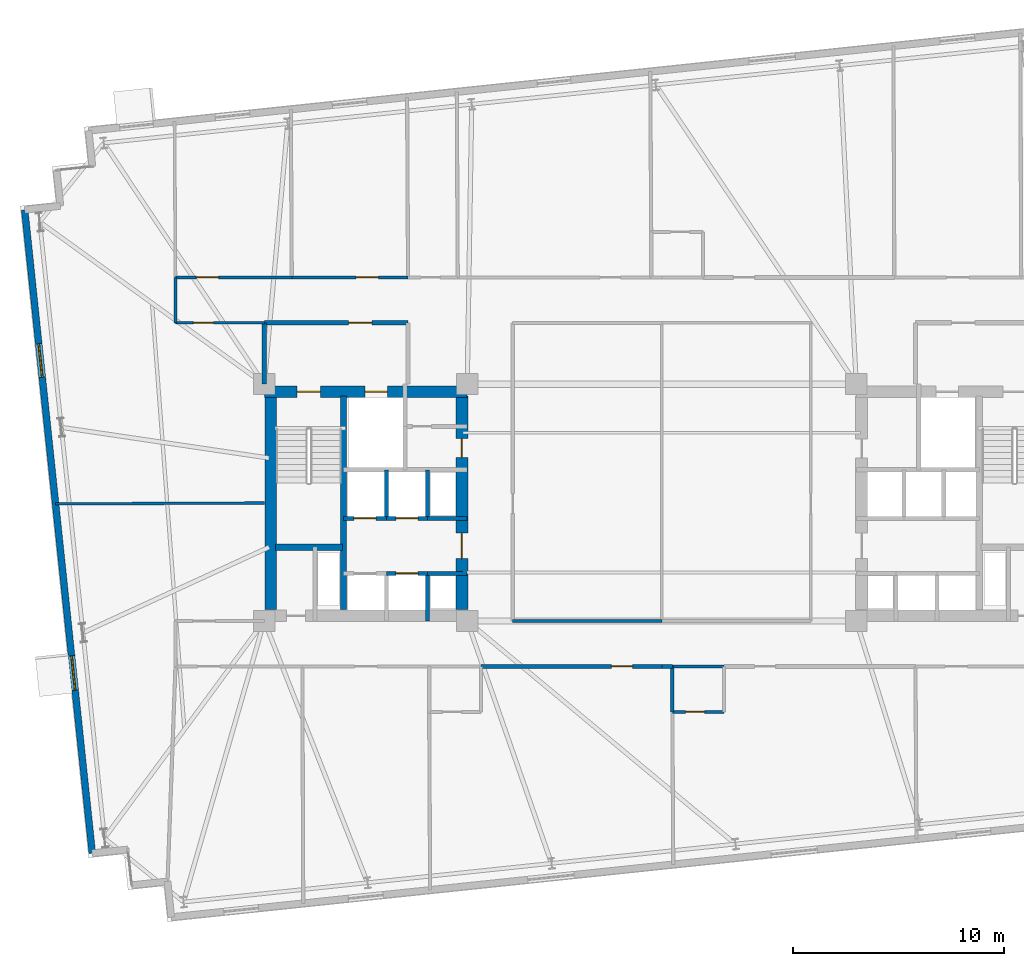
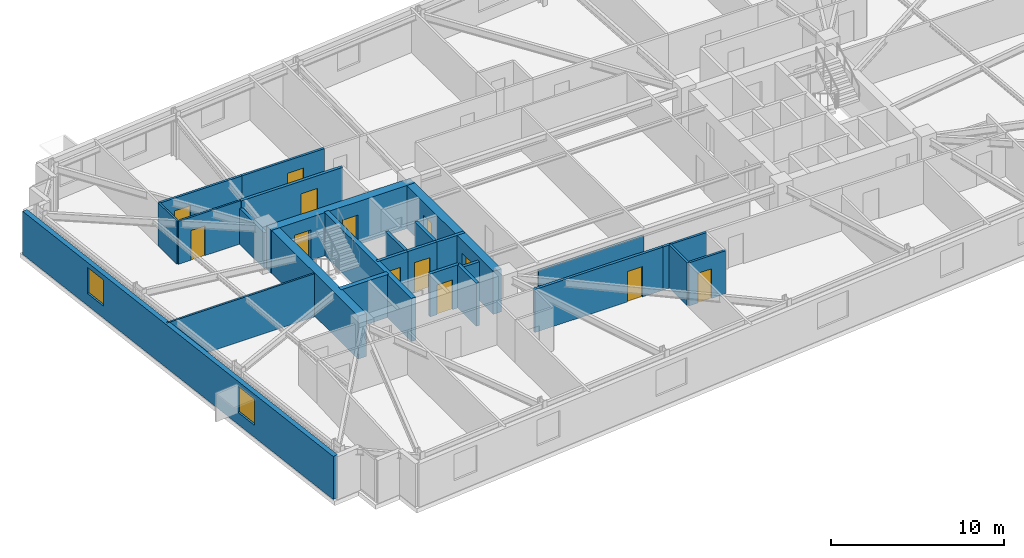
# One storey, part 12 of 17: 27 walls, 13 doors, 2 windows, 15 openings.
"""IFC4 building model written with IfcOpenShell, lengths in metres."""

from ifc_helpers import new_model, si_unit, direction, frame, frame_2d, origin, place, context, subcontext, project, spatial, rectangle, extrude, material, layer, layer_set, type_object, element, fill, save


model = new_model("IFC4")

# Units and contexts
model_context = context("Model", 3, precision=1e-05, world=origin(), true_north=direction((0.0, 1.0)))
body_context = subcontext(model_context, "Body", "Model", "MODEL_VIEW")
ifc_project = project(units=[si_unit("LENGTHUNIT", "METRE"), si_unit("AREAUNIT", "SQUARE_METRE"), si_unit("VOLUMEUNIT", "CUBIC_METRE"), si_unit("PLANEANGLEUNIT", "RADIAN"), si_unit("MASSUNIT", "GRAM", prefix="KILO")], contexts=[model_context])

# Site, building, storey
site_placement = place(None, origin())
site = spatial("IfcSite", under=ifc_project, at=site_placement, CompositionType="ELEMENT")
building_placement = place(site_placement, origin())
building = spatial("IfcBuilding", under=site, at=building_placement, Name="Qobustan Lattice House", CompositionType="ELEMENT")
storey_placement = place(building_placement, frame((0.0, 0.0, 105.800048828125)))
storey = spatial("IfcBuildingStorey", under=building, at=storey_placement, Name="L29", CompositionType="ELEMENT", Elevation=105.800048828125)

# Wall, openings, doors
ifc_material_1 = material(Name="Concrete C60/75", Category="concrete")
ifc_layer_1 = layer(ifc_material_1, 0.56005859375)
ifc_layer_set_1 = layer_set([ifc_layer_1], Name="Concrete C60/75")
wall_type_1 = type_object("IfcWallType", Name="WAL-CORE-600", PredefinedType="SHEAR", material=ifc_layer_set_1)
wall_1_placement = place(storey_placement, frame((-18.800048828125, 5.239990234375, 0.0), z_axis=(0.0, 0.0, 1.0), x_axis=(1.0, 0.0, 0.0)))
wall_1 = element("IfcWall", 1, at=wall_1_placement, inside=storey, type_object=wall_type_1, Name="L29 split-core shear wall CW-N", PredefinedType="SHEAR", context=body_context, shape_type="SweptSolid", body=[
    extrude(rectangle(XDim=9.60009765625, YDim=0.56005859375, at=frame_2d((4.800048828125, 0.0))), origin(), (0.0, 0.0, 1.0), 3.044921875),
])
opening_1_placement = place(wall_1_placement, frame((1.550048828125, 0.0, 0.0)))
opening_1 = element("IfcOpeningElement", 2, at=opening_1_placement, cuts=wall_1, Name="Opening SD-01", PredefinedType="OPENING", context=body_context, shape_type="SweptSolid", body=[
    extrude(rectangle(XDim=1.10009765625, YDim=2.14990234375, at=frame_2d((0.550048828125, 1.074951171875))), frame((0.0, 0.2900390625, 0.0), z_axis=(0.0, -1.0, 0.0), x_axis=(1.0, 0.0, 0.0)), (0.0, 0.0, 1.0), 0.580078125),
])
opening_2_placement = place(wall_1_placement, frame((4.77490234375, 0.0, 0.0)))
opening_2 = element("IfcOpeningElement", 3, at=opening_2_placement, cuts=wall_1, Name="Opening LD-01", PredefinedType="OPENING", context=body_context, shape_type="SweptSolid", body=[
    extrude(rectangle(XDim=1.050048828125, YDim=2.10009765625, at=frame_2d((0.52490234375, 1.050048828125))), frame((0.0, 0.2900390625, 0.0), z_axis=(0.0, -1.0, 0.0), x_axis=(1.0, 0.0, 0.0)), (0.0, 0.0, 1.0), 0.580078125),
])
ifc_material_2 = material(Name="Persian walnut timber and steel frame door", Category="steel")
door_type_1 = type_object("IfcDoorType", Name="DOR-LIFT-LD-1050x2100", OperationType="NOTDEFINED", PredefinedType="DOOR", material=ifc_material_2)
door_1_placement = place(opening_2_placement, origin())
door_1 = element("IfcDoor", 4, at=door_1_placement, inside=storey, type_object=door_type_1, Name="L29 firefighting lift FF-W landing door", OperationType="DOUBLE_DOOR_SLIDING", OverallHeight=2.10009765625, OverallWidth=1.050048828125, PredefinedType="DOOR", context=body_context, shape_type="SweptSolid", body=[
    extrude(rectangle(XDim=1.050048828125, YDim=2.10009765625, at=frame_2d((0.52490234375, 1.050048828125))), frame((0.0, 0.02490234375, 0.0), z_axis=(0.0, -1.0, 0.0), x_axis=(1.0, 0.0, 0.0)), (0.0, 0.0, 1.0), 0.050048828125),
])
fill(opening_2, door_1)
ifc_material_3 = material(Name="Persian walnut timber and steel frame door", Category="steel")
door_type_2 = type_object("IfcDoorType", Name="DOR-STAIR-FD-1100x2150", OperationType="NOTDEFINED", PredefinedType="DOOR", material=ifc_material_3)
door_2_placement = place(opening_1_placement, origin())
door_2 = element("IfcDoor", 5, at=door_2_placement, inside=storey, type_object=door_type_2, Name="L29 exit stair ST-W1 fire door", OperationType="SINGLE_SWING_LEFT", OverallHeight=2.14990234375, OverallWidth=1.10009765625, PredefinedType="DOOR", context=body_context, shape_type="SweptSolid", body=[
    extrude(rectangle(XDim=1.10009765625, YDim=2.14990234375, at=frame_2d((0.550048828125, 1.074951171875))), frame((0.0, 0.02490234375, 0.0), z_axis=(0.0, -1.0, 0.0), x_axis=(1.0, 0.0, 0.0)), (0.0, 0.0, 1.0), 0.050048828125),
])
fill(opening_1, door_2)

# Wall
wall_2_placement = place(storey_placement, frame((-18.489990234375, -5.050048828125, 0.0), z_axis=(0.0, 0.0, 1.0), x_axis=(0.0, 1.0, 0.0)))
element("IfcWall", 6, at=wall_2_placement, inside=storey, type_object=wall_type_1, Name="L29 split-core shear wall CW-W", PredefinedType="SHEAR", context=body_context, shape_type="SweptSolid", body=[
    extrude(rectangle(XDim=10.10009765625, YDim=0.56005859375, at=frame_2d((5.050048828125, 0.0))), origin(), (0.0, 0.0, 1.0), 3.044921875),
])

# Wall, openings, doors
wall_3_placement = place(storey_placement, frame((-9.449951171875, -5.050048828125, 0.0), z_axis=(0.0, 0.0, 1.0), x_axis=(0.0, 1.0, 0.0)))
wall_3 = element("IfcWall", 7, at=wall_3_placement, inside=storey, type_object=wall_type_1, Name="L29 split-core shear wall CW-E", PredefinedType="SHEAR", context=body_context, shape_type="SweptSolid", body=[
    extrude(rectangle(XDim=10.10009765625, YDim=0.56005859375, at=frame_2d((5.050048828125, 0.0))), origin(), (0.0, 0.0, 1.0), 3.044921875),
])
opening_3_placement = place(wall_3_placement, frame((7.175048828125, 0.0, 0.0)))
opening_3 = element("IfcOpeningElement", 8, at=opening_3_placement, cuts=wall_3, Name="Opening RD-01", PredefinedType="OPENING", context=body_context, shape_type="SweptSolid", body=[
    extrude(rectangle(XDim=0.89990234375, YDim=2.10009765625, at=frame_2d((0.449951171875, 1.050048828125))), frame((0.0, 0.2900390625, 0.0), z_axis=(0.0, -1.0, 0.0), x_axis=(1.0, 0.0, 0.0)), (0.0, 0.0, 1.0), 0.580078125),
])
opening_4_placement = place(wall_3_placement, frame((2.39990234375, 0.0, 0.0)))
opening_4 = element("IfcOpeningElement", 9, at=opening_4_placement, cuts=wall_3, Name="Opening FD-01", PredefinedType="OPENING", context=body_context, shape_type="SweptSolid", body=[
    extrude(rectangle(XDim=1.199951171875, YDim=2.14990234375, at=frame_2d((0.60009765625, 1.074951171875))), frame((0.0, 0.2900390625, 0.0), z_axis=(0.0, -1.0, 0.0), x_axis=(1.0, 0.0, 0.0)), (0.0, 0.0, 1.0), 0.580078125),
])
ifc_material_4 = material(Name="Persian walnut timber and steel frame door", Category="steel")
door_type_3 = type_object("IfcDoorType", Name="DOR-LOBBY-FD-1200x2150", OperationType="NOTDEFINED", PredefinedType="DOOR", material=ifc_material_4)
door_3_placement = place(opening_4_placement, origin())
door_3 = element("IfcDoor", 10, at=door_3_placement, inside=storey, type_object=door_type_3, Name="L29 West passenger lift lobby fire door", OperationType="SINGLE_SWING_RIGHT", OverallHeight=2.14990234375, OverallWidth=1.199951171875, PredefinedType="DOOR", context=body_context, shape_type="SweptSolid", body=[
    extrude(rectangle(XDim=1.199951171875, YDim=2.14990234375, at=frame_2d((0.60009765625, 1.074951171875))), frame((0.0, 0.02490234375, 0.0), z_axis=(0.0, -1.0, 0.0), x_axis=(1.0, 0.0, 0.0)), (0.0, 0.0, 1.0), 0.050048828125),
])
fill(opening_4, door_3)
ifc_material_5 = material(Name="Persian walnut timber and steel frame door", Category="steel")
door_type_4 = type_object("IfcDoorType", Name="DOR-RISER-FD-900x2100", OperationType="NOTDEFINED", PredefinedType="DOOR", material=ifc_material_5)
door_4_placement = place(opening_3_placement, origin())
door_4 = element("IfcDoor", 11, at=door_4_placement, inside=storey, type_object=door_type_4, Name="L29 Core utility lobby fire door", OperationType="SINGLE_SWING_LEFT", OverallHeight=2.10009765625, OverallWidth=0.89990234375, PredefinedType="DOOR", context=body_context, shape_type="SweptSolid", body=[
    extrude(rectangle(XDim=0.89990234375, YDim=2.10009765625, at=frame_2d((0.449951171875, 1.050048828125))), frame((0.0, 0.02490234375, 0.0), z_axis=(0.0, -1.0, 0.0), x_axis=(1.0, 0.0, 0.0)), (0.0, 0.0, 1.0), 0.050048828125),
])
fill(opening_3, door_4)

# Walls
ifc_material_6 = material(Name="Concrete C50/60", Category="concrete")
ifc_layer_2 = layer(ifc_material_6, 0.280029296875)
ifc_layer_set_2 = layer_set([ifc_layer_2], Name="Concrete C50/60")
wall_type_2 = type_object("IfcWallType", Name="WAL-CORE-SPINE-280", PredefinedType="SHEAR", material=ifc_layer_set_2)
wall_4_placement = place(storey_placement, frame((-15.050048828125, -5.050048828125, 0.0), z_axis=(0.0, 0.0, 1.0), x_axis=(0.0, 1.0, 0.0)))
element("IfcWall", 12, at=wall_4_placement, inside=storey, type_object=wall_type_2, Name="L29 split-core shear wall CW-M", PredefinedType="SHEAR", context=body_context, shape_type="SweptSolid", body=[
    extrude(rectangle(XDim=10.10009765625, YDim=0.300048828125, at=frame_2d((5.050048828125, 0.0))), origin(), (0.0, 0.0, 1.0), 3.044921875),
])
wall_5_placement = place(storey_placement, frame((-18.280029296875, -2.110107421875, 0.0), z_axis=(0.0, 0.0, 1.0), x_axis=(1.0, 0.0, 0.0)))
element("IfcWall", 13, at=wall_5_placement, inside=storey, type_object=wall_type_2, Name="L29 split-core shear wall CW-ST", PredefinedType="SHEAR", context=body_context, shape_type="SweptSolid", body=[
    extrude(rectangle(XDim=3.179931640625, YDim=0.300048828125, at=frame_2d((1.58984375, 0.0))), origin(), (0.0, 0.0, 1.0), 3.044921875),
])

# Wall, openings, windows
ifc_material_7 = material(Name="Precast concrete C40/50", Category="concrete")
ifc_layer_3 = layer(ifc_material_7, 0.320068359375)
ifc_layer_set_3 = layer_set([ifc_layer_3], Name="Precast concrete C40/50")
wall_type_3 = type_object("IfcWallType", Name="WAL-EXT-STONE-320", PredefinedType="SOLIDWALL", material=ifc_layer_set_3)
wall_6_placement = place(storey_placement, frame((-26.934814453125, -16.58349609375, 0.0), z_axis=(0.0, 0.0, 1.0), x_axis=(-0.104524887486, 0.994522271192, 0.0)))
wall_6 = element("IfcWall", 14, at=wall_6_placement, inside=storey, type_object=wall_type_3, Name="L29 exterior limestone-clad wall 5", PredefinedType="SOLIDWALL", context=body_context, shape_type="SweptSolid", body=[
    extrude(rectangle(XDim=30.600341796875, YDim=0.320068359375, at=frame_2d((15.30029296875, 0.0))), origin(), (0.0, 0.0, 1.0), 3.044921875),
])
opening_5_placement = place(wall_6_placement, frame((7.74609375, 0.0, 0.85009765625)))
opening_5 = element("IfcOpeningElement", 15, at=opening_5_placement, cuts=wall_6, Name="Opening WN-09", PredefinedType="OPENING", context=body_context, shape_type="SweptSolid", body=[
    extrude(rectangle(XDim=1.64990234375, YDim=1.85009765625, at=frame_2d((0.824951171875, 0.925048828125))), frame((0.0, 0.169921875, 0.0), z_axis=(0.0, -1.0, 0.0), x_axis=(1.0, 0.0, 0.0)), (0.0, 0.0, 1.0), 0.340087890625),
])
opening_6_placement = place(wall_6_placement, frame((22.630615234375, 0.0, 0.85009765625)))
opening_6 = element("IfcOpeningElement", 16, at=opening_6_placement, cuts=wall_6, Name="Opening WN-13", PredefinedType="OPENING", context=body_context, shape_type="SweptSolid", body=[
    extrude(rectangle(XDim=1.60009765625, YDim=1.85009765625, at=frame_2d((0.800048828125, 0.925048828125))), frame((0.0, 0.169921875, 0.0), z_axis=(0.0, -1.0, 0.0), x_axis=(1.0, 0.0, 0.0)), (0.0, 0.0, 1.0), 0.340087890625),
])
ifc_material_8 = material(Name="Double-glazed low-E aluminium window", Category="aluminium")
window_type_1 = type_object("IfcWindowType", Name="WIN-BED-1600x1850", PartitioningType="SINGLE_PANEL", PredefinedType="WINDOW", material=ifc_material_8)
window_1_placement = place(opening_6_placement, origin())
window_1 = element("IfcWindow", 17, at=window_1_placement, inside=storey, type_object=window_type_1, Name="L29 Music and podcast studio window", OverallHeight=1.85009765625, OverallWidth=1.60009765625, PartitioningType="SINGLE_PANEL", PredefinedType="WINDOW", context=body_context, shape_type="SweptSolid", body=[
    extrude(rectangle(XDim=1.60009765625, YDim=1.85009765625, at=frame_2d((0.800048828125, 0.925048828125))), frame((0.0, 0.030029296875, 0.0), z_axis=(0.0, -1.0, 0.0), x_axis=(1.0, 0.0, 0.0)), (0.0, 0.0, 1.0), 0.06005859375),
])
fill(opening_6, window_1)
ifc_material_9 = material(Name="Double-glazed low-E aluminium window", Category="aluminium")
window_type_2 = type_object("IfcWindowType", Name="WIN-STU-1650x1850", PartitioningType="SINGLE_PANEL", PredefinedType="WINDOW", material=ifc_material_9)
window_2_placement = place(opening_5_placement, origin())
window_2 = element("IfcWindow", 18, at=window_2_placement, inside=storey, type_object=window_type_2, Name="L29 Academic seminar room window", OverallHeight=1.85009765625, OverallWidth=1.64990234375, PartitioningType="SINGLE_PANEL", PredefinedType="WINDOW", context=body_context, shape_type="SweptSolid", body=[
    extrude(rectangle(XDim=1.64990234375, YDim=1.85009765625, at=frame_2d((0.824951171875, 0.925048828125))), frame((0.0, 0.030029296875, 0.0), z_axis=(0.0, -1.0, 0.0), x_axis=(1.0, 0.0, 0.0)), (0.0, 0.0, 1.0), 0.06005859375),
])
fill(opening_5, window_2)

# Wall, opening, door
ifc_material_10 = material(Name="Gypsum fireboard acoustic partition", Category="gypsum")
ifc_layer_4 = layer(ifc_material_10, 0.179931640625)
ifc_layer_set_4 = layer_set([ifc_layer_4], Name="Gypsum fireboard acoustic partition")
wall_type_4 = type_object("IfcWallType", Name="WAL-FIRE-180", PredefinedType="PARTITIONING", material=ifc_layer_set_4)
wall_7_placement = place(storey_placement, frame((0.0, -7.75, 0.0), z_axis=(0.0, 0.0, 1.0), x_axis=(-1.0, 0.0, 0.0)))
wall_7 = element("IfcWall", 19, at=wall_7_placement, inside=storey, type_object=wall_type_4, Name="L29 interior partition 56", PredefinedType="PARTITIONING", context=body_context, shape_type="SweptSolid", body=[
    extrude(rectangle(XDim=8.550048828125, YDim=0.179931640625, at=frame_2d((4.27490234375, 0.0))), origin(), (0.0, 0.0, 1.0), 3.044921875),
])
opening_7_placement = place(wall_7_placement, frame((1.37890625, 0.0, 0.0)))
opening_7 = element("IfcOpeningElement", 20, at=opening_7_placement, cuts=wall_7, Name="Opening FD-02", PredefinedType="OPENING", context=body_context, shape_type="SweptSolid", body=[
    extrude(rectangle(XDim=1.0, YDim=2.14990234375, at=frame_2d((0.5, 1.074951171875))), frame((0.0, 0.099853515625, 0.0), z_axis=(0.0, -1.0, 0.0), x_axis=(1.0, 0.0, 0.0)), (0.0, 0.0, 1.0), 0.199951171875),
])
ifc_material_11 = material(Name="Persian walnut timber and steel frame door", Category="steel")
door_type_5 = type_object("IfcDoorType", Name="DOR-UNIT-FD-1000x2150", OperationType="NOTDEFINED", PredefinedType="DOOR", material=ifc_material_11)
door_5_placement = place(opening_7_placement, origin())
door_5 = element("IfcDoor", 21, at=door_5_placement, inside=storey, type_object=door_type_5, Name="L29 South-west floor corridor to Kitchenette and studio apartment L29-S2 door", OperationType="SINGLE_SWING_RIGHT", OverallHeight=2.14990234375, OverallWidth=1.0, PredefinedType="DOOR", context=body_context, shape_type="SweptSolid", body=[
    extrude(rectangle(XDim=1.0, YDim=2.14990234375, at=frame_2d((0.5, 1.074951171875))), frame((0.0, 0.02490234375, 0.0), z_axis=(0.0, -1.0, 0.0), x_axis=(1.0, 0.0, 0.0)), (0.0, 0.0, 1.0), 0.050048828125),
])
fill(opening_7, door_5)

# Wall
wall_8_placement = place(storey_placement, frame((0.5, -7.75, 0.0), z_axis=(0.0, 0.0, 1.0), x_axis=(-1.0, 0.0, 0.0)))
element("IfcWall", 22, at=wall_8_placement, inside=storey, type_object=wall_type_4, Name="L29 interior partition 61", PredefinedType="PARTITIONING", context=body_context, shape_type="SweptSolid", body=[
    extrude(rectangle(XDim=0.5, YDim=0.179931640625, at=frame_2d((0.25, 0.0))), origin(), (0.0, 0.0, 1.0), 3.044921875),
])

# Wall, opening, door
ifc_material_12 = material(Name="Lightweight acoustic stud partition", Category="gypsum")
ifc_layer_5 = layer(ifc_material_12, 0.125)
ifc_layer_set_5 = layer_set([ifc_layer_5], Name="Lightweight acoustic stud partition")
wall_type_5 = type_object("IfcWallType", Name="WAL-PART-125", PredefinedType="PARTITIONING", material=ifc_layer_set_5)
wall_9_placement = place(storey_placement, frame((-18.800048828125, 8.5, 0.0), z_axis=(0.0, 0.0, 1.0), x_axis=(-1.0, 0.0, 0.0)))
wall_9 = element("IfcWall", 23, at=wall_9_placement, inside=storey, type_object=wall_type_5, Name="L29 interior partition 37", PredefinedType="PARTITIONING", context=body_context, shape_type="SweptSolid", body=[
    extrude(rectangle(XDim=4.199951171875, YDim=0.125, at=frame_2d((2.10009765625, 0.0))), origin(), (0.0, 0.0, 1.0), 3.044921875),
])
opening_8_placement = place(wall_9_placement, frame((2.40869140625, 0.0, 0.0)))
opening_8 = element("IfcOpeningElement", 24, at=opening_8_placement, cuts=wall_9, Name="Opening ID-01", PredefinedType="OPENING", context=body_context, shape_type="SweptSolid", body=[
    extrude(rectangle(XDim=0.949951171875, YDim=2.10009765625, at=frame_2d((0.47509765625, 1.050048828125))), frame((0.0, 0.072509765625, 0.0), z_axis=(0.0, -1.0, 0.0), x_axis=(1.0, 0.0, 0.0)), (0.0, 0.0, 1.0), 0.14501953125),
])
ifc_material_13 = material(Name="Persian walnut timber and steel frame door", Category="steel")
door_type_6 = type_object("IfcDoorType", Name="DOR-ROOM-950x2100", OperationType="NOTDEFINED", PredefinedType="DOOR", material=ifc_material_13)
door_6_placement = place(opening_8_placement, origin())
door_6 = element("IfcDoor", 25, at=door_6_placement, inside=storey, type_object=door_type_6, Name="L29 North-west floor corridor to Music and podcast studio door", OperationType="SINGLE_SWING_RIGHT", OverallHeight=2.10009765625, OverallWidth=0.949951171875, PredefinedType="DOOR", context=body_context, shape_type="SweptSolid", body=[
    extrude(rectangle(XDim=0.949951171875, YDim=2.10009765625, at=frame_2d((0.47509765625, 1.050048828125))), frame((0.0, 0.02490234375, 0.0), z_axis=(0.0, -1.0, 0.0), x_axis=(1.0, 0.0, 0.0)), (0.0, 0.0, 1.0), 0.050048828125),
])
fill(opening_8, door_6)

# Walls
wall_10_placement = place(storey_placement, frame((-23.0, 8.5, 0.0), z_axis=(0.0, 0.0, 1.0), x_axis=(0.0, 1.0, 0.0)))
element("IfcWall", 26, at=wall_10_placement, inside=storey, type_object=wall_type_5, Name="L29 interior partition 38", PredefinedType="PARTITIONING", context=body_context, shape_type="SweptSolid", body=[
    extrude(rectangle(XDim=2.14990234375, YDim=0.125, at=frame_2d((1.074951171875, 0.0))), origin(), (0.0, 0.0, 1.0), 3.044921875),
])
wall_11_placement = place(storey_placement, frame((-28.6708984375, -0.063720703125, 0.0), z_axis=(0.0, 0.0, 1.0), x_axis=(0.999990089865, 0.004451985263, 0.0)))
element("IfcWall", 27, at=wall_11_placement, inside=storey, type_object=wall_type_5, Name="L29 interior partition 69", PredefinedType="PARTITIONING", context=body_context, shape_type="SweptSolid", body=[
    extrude(rectangle(XDim=9.870849609375, YDim=0.125, at=frame_2d((4.935546875, 0.0))), origin(), (0.0, 0.0, 1.0), 3.044921875),
])

# Wall, opening, door
ifc_material_14 = material(Name="Acoustic twin-stud gypsum partition", Category="gypsum")
ifc_layer_6 = layer(ifc_material_14, 0.14990234375)
ifc_layer_set_6 = layer_set([ifc_layer_6], Name="Acoustic twin-stud gypsum partition")
wall_type_6 = type_object("IfcWallType", Name="WAL-PART-150", PredefinedType="PARTITIONING", material=ifc_layer_set_6)
wall_12_placement = place(storey_placement, frame((-23.0, 10.64990234375, 0.0), z_axis=(0.0, 0.0, 1.0), x_axis=(1.0, 0.0, 0.0)))
wall_12 = element("IfcWall", 28, at=wall_12_placement, inside=storey, type_object=wall_type_6, Name="L29 interior partition 39", PredefinedType="PARTITIONING", context=body_context, shape_type="SweptSolid", body=[
    extrude(rectangle(XDim=5.5, YDim=0.14990234375, at=frame_2d((2.75, 0.0))), origin(), (0.0, 0.0, 1.0), 3.044921875),
])
opening_9_placement = place(wall_12_placement, frame((0.9912109375, 0.0, 0.0)))
opening_9 = element("IfcOpeningElement", 29, at=opening_9_placement, cuts=wall_12, Name="Opening ID-02", PredefinedType="OPENING", context=body_context, shape_type="SweptSolid", body=[
    extrude(rectangle(XDim=1.050048828125, YDim=2.14990234375, at=frame_2d((0.52490234375, 1.074951171875))), frame((0.0, 0.0849609375, 0.0), z_axis=(0.0, -1.0, 0.0), x_axis=(1.0, 0.0, 0.0)), (0.0, 0.0, 1.0), 0.169921875),
])
ifc_material_15 = material(Name="Persian walnut timber and steel frame door", Category="steel")
door_type_7 = type_object("IfcDoorType", Name="DOR-STUDY-1050x2150", OperationType="NOTDEFINED", PredefinedType="DOOR", material=ifc_material_15)
door_7_placement = place(opening_9_placement, origin())
door_7 = element("IfcDoor", 30, at=door_7_placement, inside=storey, type_object=door_type_7, Name="L29 North-west floor corridor to Focus study room N1A door", OperationType="SINGLE_SWING_LEFT", OverallHeight=2.14990234375, OverallWidth=1.050048828125, PredefinedType="DOOR", context=body_context, shape_type="SweptSolid", body=[
    extrude(rectangle(XDim=1.050048828125, YDim=2.14990234375, at=frame_2d((0.52490234375, 1.074951171875))), frame((0.0, 0.02490234375, 0.0), z_axis=(0.0, -1.0, 0.0), x_axis=(1.0, 0.0, 0.0)), (0.0, 0.0, 1.0), 0.050048828125),
])
fill(opening_9, door_7)

wall_13_placement = place(storey_placement, frame((-17.5, 10.64990234375, 0.0), z_axis=(0.0, 0.0, 1.0), x_axis=(1.0, 0.0, 0.0)))
wall_13 = element("IfcWall", 31, at=wall_13_placement, inside=storey, type_object=wall_type_6, Name="L29 interior partition 40", PredefinedType="PARTITIONING", context=body_context, shape_type="SweptSolid", body=[
    extrude(rectangle(XDim=5.5, YDim=0.14990234375, at=frame_2d((2.75, 0.0))), origin(), (0.0, 0.0, 1.0), 3.044921875),
])
opening_10_placement = place(wall_13_placement, frame((3.047607421875, 0.0, 0.0)))
opening_10 = element("IfcOpeningElement", 32, at=opening_10_placement, cuts=wall_13, Name="Opening ID-02", PredefinedType="OPENING", context=body_context, shape_type="SweptSolid", body=[
    extrude(rectangle(XDim=1.050048828125, YDim=2.14990234375, at=frame_2d((0.52490234375, 1.074951171875))), frame((0.0, 0.0849609375, 0.0), z_axis=(0.0, -1.0, 0.0), x_axis=(1.0, 0.0, 0.0)), (0.0, 0.0, 1.0), 0.169921875),
])
door_8_placement = place(opening_10_placement, origin())
door_8 = element("IfcDoor", 33, at=door_8_placement, inside=storey, type_object=door_type_7, Name="L29 North-west floor corridor to Focus study room N1B door", OperationType="SINGLE_SWING_RIGHT", OverallHeight=2.14990234375, OverallWidth=1.050048828125, PredefinedType="DOOR", context=body_context, shape_type="SweptSolid", body=[
    extrude(rectangle(XDim=1.050048828125, YDim=2.14990234375, at=frame_2d((0.52490234375, 1.074951171875))), frame((0.0, 0.02490234375, 0.0), z_axis=(0.0, -1.0, 0.0), x_axis=(1.0, 0.0, 0.0)), (0.0, 0.0, 1.0), 0.050048828125),
])
fill(opening_10, door_8)

# Wall
wall_14_placement = place(storey_placement, frame((-7.050048828125, -5.60009765625, 0.0), z_axis=(0.0, 0.0, 1.0), x_axis=(1.0, 0.0, 0.0)))
element("IfcWall", 34, at=wall_14_placement, inside=storey, type_object=wall_type_6, Name="L29 interior partition 58", PredefinedType="PARTITIONING", context=body_context, shape_type="SweptSolid", body=[
    extrude(rectangle(XDim=7.050048828125, YDim=0.14990234375, at=frame_2d((3.52490234375, 0.0))), origin(), (0.0, 0.0, 1.0), 2.530029296875),
])

# Wall, opening, door
ifc_material_16 = material(Name="Two-hour gypsum fireboard acoustic partition", Category="gypsum")
ifc_layer_7 = layer(ifc_material_16, 0.199951171875)
ifc_layer_set_7 = layer_set([ifc_layer_7], Name="Two-hour gypsum fireboard acoustic partition")
wall_type_7 = type_object("IfcWallType", Name="WAL-PROT-200", PredefinedType="PARTITIONING", material=ifc_layer_set_7)
wall_15_placement = place(storey_placement, frame((-12.0, 8.5, 0.0), z_axis=(0.0, 0.0, 1.0), x_axis=(-1.0, 0.0, 0.0)))
wall_15 = element("IfcWall", 35, at=wall_15_placement, inside=storey, type_object=wall_type_7, Name="L29 interior partition 4", PredefinedType="PARTITIONING", context=body_context, shape_type="SweptSolid", body=[
    extrude(rectangle(XDim=6.800048828125, YDim=0.199951171875, at=frame_2d((3.39990234375, 0.0))), origin(), (0.0, 0.0, 1.0), 3.044921875),
])
opening_11_placement = place(wall_15_placement, frame((1.715087890625, 0.0, 0.0)))
opening_11 = element("IfcOpeningElement", 36, at=opening_11_placement, cuts=wall_15, Name="Opening SD-01", PredefinedType="OPENING", context=body_context, shape_type="SweptSolid", body=[
    extrude(rectangle(XDim=1.10009765625, YDim=2.14990234375, at=frame_2d((0.550048828125, 1.074951171875))), frame((0.0, 0.10986328125, 0.0), z_axis=(0.0, -1.0, 0.0), x_axis=(1.0, 0.0, 0.0)), (0.0, 0.0, 1.0), 0.219970703125),
])
door_9_placement = place(opening_11_placement, origin())
door_9 = element("IfcDoor", 37, at=door_9_placement, inside=storey, type_object=door_type_2, Name="L29 West firefighting lift lobby to North-west floor corridor door", OperationType="SINGLE_SWING_LEFT", OverallHeight=2.14990234375, OverallWidth=1.10009765625, PredefinedType="DOOR", context=body_context, shape_type="SweptSolid", body=[
    extrude(rectangle(XDim=1.10009765625, YDim=2.14990234375, at=frame_2d((0.550048828125, 1.074951171875))), frame((0.0, 0.02490234375, 0.0), z_axis=(0.0, -1.0, 0.0), x_axis=(1.0, 0.0, 0.0)), (0.0, 0.0, 1.0), 0.050048828125),
])
fill(opening_11, door_9)

# Wall
wall_16_placement = place(storey_placement, frame((-18.800048828125, 8.5, 0.0), z_axis=(0.0, 0.0, 1.0), x_axis=(0.0, -1.0, 0.0)))
element("IfcWall", 38, at=wall_16_placement, inside=storey, type_object=wall_type_7, Name="L29 interior partition 6", PredefinedType="PARTITIONING", context=body_context, shape_type="SweptSolid", body=[
    extrude(rectangle(XDim=2.89990234375, YDim=0.199951171875, at=frame_2d((1.449951171875, 0.0))), origin(), (0.0, 0.0, 1.0), 2.530029296875),
])

# Wall, opening, door
ifc_material_17 = material(Name="Concrete C40/50", Category="concrete")
ifc_layer_8 = layer(ifc_material_17, 0.199951171875)
ifc_layer_set_8 = layer_set([ifc_layer_8], Name="Concrete C40/50")
wall_type_8 = type_object("IfcWallType", Name="WAL-SHAFT-200", PredefinedType="PARTITIONING", material=ifc_layer_set_8)
wall_17_placement = place(storey_placement, frame((-13.02001953125, -3.35009765625, 0.0), z_axis=(0.0, 0.0, 1.0), x_axis=(1.0, 0.0, 0.0)))
wall_17 = element("IfcWall", 39, at=wall_17_placement, inside=storey, type_object=wall_type_8, Name="L29 interior partition 10", PredefinedType="PARTITIONING", context=body_context, shape_type="SweptSolid", body=[
    extrude(rectangle(XDim=1.93994140625, YDim=0.199951171875, at=frame_2d((0.969970703125, 0.0))), origin(), (0.0, 0.0, 1.0), 3.044921875),
])
opening_12_placement = place(wall_17_placement, frame((0.445068359375, 0.0, 0.0)))
opening_12 = element("IfcOpeningElement", 40, at=opening_12_placement, cuts=wall_17, Name="Opening LD-01", PredefinedType="OPENING", context=body_context, shape_type="SweptSolid", body=[
    extrude(rectangle(XDim=1.050048828125, YDim=2.10009765625, at=frame_2d((0.52490234375, 1.050048828125))), frame((0.0, 0.10986328125, 0.0), z_axis=(0.0, -1.0, 0.0), x_axis=(1.0, 0.0, 0.0)), (0.0, 0.0, 1.0), 0.219970703125),
])
door_10_placement = place(opening_12_placement, origin())
door_10 = element("IfcDoor", 41, at=door_10_placement, inside=storey, type_object=door_type_1, Name="L29 lift landing door", OperationType="DOUBLE_DOOR_SLIDING", OverallHeight=2.10009765625, OverallWidth=1.050048828125, PredefinedType="DOOR", context=body_context, shape_type="SweptSolid", body=[
    extrude(rectangle(XDim=1.050048828125, YDim=2.10009765625, at=frame_2d((0.52490234375, 1.050048828125))), frame((0.0, 0.02490234375, 0.0), z_axis=(0.0, -1.0, 0.0), x_axis=(1.0, 0.0, 0.0)), (0.0, 0.0, 1.0), 0.050048828125),
])
fill(opening_12, door_10)

# Wall
wall_18_placement = place(storey_placement, frame((-11.080078125, -3.35009765625, 0.0), z_axis=(0.0, 0.0, 1.0), x_axis=(1.0, 0.0, 0.0)))
element("IfcWall", 42, at=wall_18_placement, inside=storey, type_object=wall_type_8, Name="L29 interior partition 11", PredefinedType="PARTITIONING", context=body_context, shape_type="SweptSolid", body=[
    extrude(rectangle(XDim=1.880126953125, YDim=0.199951171875, at=frame_2d((0.93994140625, 0.0))), origin(), (0.0, 0.0, 1.0), 2.760009765625),
])

# Wall, opening, door
wall_19_placement = place(storey_placement, frame((-13.02001953125, -0.75, 0.0), z_axis=(0.0, 0.0, 1.0), x_axis=(-1.0, 0.0, 0.0)))
wall_19 = element("IfcWall", 43, at=wall_19_placement, inside=storey, type_object=wall_type_8, Name="L29 interior partition 12", PredefinedType="PARTITIONING", context=body_context, shape_type="SweptSolid", body=[
    extrude(rectangle(XDim=2.030029296875, YDim=0.199951171875, at=frame_2d((1.01513671875, 0.0))), origin(), (0.0, 0.0, 1.0), 3.044921875),
])
opening_13_placement = place(wall_19_placement, frame((0.489990234375, 0.0, 0.0)))
opening_13 = element("IfcOpeningElement", 44, at=opening_13_placement, cuts=wall_19, Name="Opening LD-01", PredefinedType="OPENING", context=body_context, shape_type="SweptSolid", body=[
    extrude(rectangle(XDim=1.050048828125, YDim=2.10009765625, at=frame_2d((0.52490234375, 1.050048828125))), frame((0.0, 0.10986328125, 0.0), z_axis=(0.0, -1.0, 0.0), x_axis=(1.0, 0.0, 0.0)), (0.0, 0.0, 1.0), 0.219970703125),
])
door_11_placement = place(opening_13_placement, origin())
door_11 = element("IfcDoor", 45, at=door_11_placement, inside=storey, type_object=door_type_1, Name="L29 lift landing door", OperationType="DOUBLE_DOOR_SLIDING", OverallHeight=2.10009765625, OverallWidth=1.050048828125, PredefinedType="DOOR", context=body_context, shape_type="SweptSolid", body=[
    extrude(rectangle(XDim=1.050048828125, YDim=2.10009765625, at=frame_2d((0.52490234375, 1.050048828125))), frame((0.0, 0.02490234375, 0.0), z_axis=(0.0, -1.0, 0.0), x_axis=(1.0, 0.0, 0.0)), (0.0, 0.0, 1.0), 0.050048828125),
])
fill(opening_13, door_11)

wall_20_placement = place(storey_placement, frame((-11.080078125, -0.75, 0.0), z_axis=(0.0, 0.0, 1.0), x_axis=(-1.0, 0.0, 0.0)))
wall_20 = element("IfcWall", 46, at=wall_20_placement, inside=storey, type_object=wall_type_8, Name="L29 interior partition 13", PredefinedType="PARTITIONING", context=body_context, shape_type="SweptSolid", body=[
    extrude(rectangle(XDim=1.93994140625, YDim=0.199951171875, at=frame_2d((0.969970703125, 0.0))), origin(), (0.0, 0.0, 1.0), 3.044921875),
])
opening_14_placement = place(wall_20_placement, frame((0.445068359375, 0.0, 0.0)))
opening_14 = element("IfcOpeningElement", 47, at=opening_14_placement, cuts=wall_20, Name="Opening LD-01", PredefinedType="OPENING", context=body_context, shape_type="SweptSolid", body=[
    extrude(rectangle(XDim=1.050048828125, YDim=2.10009765625, at=frame_2d((0.52490234375, 1.050048828125))), frame((0.0, 0.10986328125, 0.0), z_axis=(0.0, -1.0, 0.0), x_axis=(1.0, 0.0, 0.0)), (0.0, 0.0, 1.0), 0.219970703125),
])
door_12_placement = place(opening_14_placement, origin())
door_12 = element("IfcDoor", 48, at=door_12_placement, inside=storey, type_object=door_type_1, Name="L29 lift landing door", OperationType="DOUBLE_DOOR_SLIDING", OverallHeight=2.10009765625, OverallWidth=1.050048828125, PredefinedType="DOOR", context=body_context, shape_type="SweptSolid", body=[
    extrude(rectangle(XDim=1.050048828125, YDim=2.10009765625, at=frame_2d((0.52490234375, 1.050048828125))), frame((0.0, 0.02490234375, 0.0), z_axis=(0.0, -1.0, 0.0), x_axis=(1.0, 0.0, 0.0)), (0.0, 0.0, 1.0), 0.050048828125),
])
fill(opening_14, door_12)

# Walls
wall_21_placement = place(storey_placement, frame((-9.199951171875, -0.75, 0.0), z_axis=(0.0, 0.0, 1.0), x_axis=(-1.0, 0.0, 0.0)))
element("IfcWall", 49, at=wall_21_placement, inside=storey, type_object=wall_type_8, Name="L29 interior partition 14", PredefinedType="PARTITIONING", context=body_context, shape_type="SweptSolid", body=[
    extrude(rectangle(XDim=1.880126953125, YDim=0.199951171875, at=frame_2d((0.93994140625, 0.0))), origin(), (0.0, 0.0, 1.0), 3.044921875),
])
wall_22_placement = place(storey_placement, frame((-11.080078125, -5.60009765625, 0.0), z_axis=(0.0, 0.0, 1.0), x_axis=(0.0, 1.0, 0.0)))
element("IfcWall", 50, at=wall_22_placement, inside=storey, type_object=wall_type_8, Name="L29 interior partition 17", PredefinedType="PARTITIONING", context=body_context, shape_type="SweptSolid", body=[
    extrude(rectangle(XDim=2.25, YDim=0.199951171875, at=frame_2d((1.125, 0.0))), origin(), (0.0, 0.0, 1.0), 3.044921875),
])
for number, where, z_axis, x_axis, name in (
    (51, (-13.02001953125, -0.75, 0.0), (0.0, 0.0, 1.0), (0.0, 1.0, 0.0), "L29 interior partition 18"),
    (52, (-11.080078125, -0.75, 0.0), (0.0, 0.0, 1.0), (0.0, 1.0, 0.0), "L29 interior partition 19"),
):
    element("IfcWall", number, at=place(storey_placement, frame(where, z_axis=z_axis, x_axis=x_axis)), inside=storey, type_object=wall_type_8, Name=name, PredefinedType="PARTITIONING", context=body_context, shape_type="SweptSolid", body=[
        extrude(rectangle(XDim=2.300048828125, YDim=0.199951171875, at=frame_2d((1.14990234375, 0.0))), origin(), (0.0, 0.0, 1.0), 3.044921875),
    ])
ifc_material_18 = material(Name="Moisture-resistant acoustic plumbing wall", Category="gypsum")
ifc_layer_9 = layer(ifc_material_18, 0.14990234375)
ifc_layer_set_9 = layer_set([ifc_layer_9], Name="Moisture-resistant acoustic plumbing wall")
wall_type_9 = type_object("IfcWallType", Name="WAL-WET-150", PredefinedType="PLUMBINGWALL", material=ifc_layer_set_9)
wall_23_placement = place(storey_placement, frame((2.949951171875, -7.75, 0.0), z_axis=(0.0, 0.0, 1.0), x_axis=(-1.0, 0.0, 0.0)))
element("IfcWall", 53, at=wall_23_placement, inside=storey, type_object=wall_type_9, Name="L29 interior partition 63", PredefinedType="PLUMBINGWALL", context=body_context, shape_type="SweptSolid", body=[
    extrude(rectangle(XDim=2.449951171875, YDim=0.14990234375, at=frame_2d((1.22509765625, 0.0))), origin(), (0.0, 0.0, 1.0), 3.044921875),
])
wall_24_placement = place(storey_placement, frame((0.5, -7.75, 0.0), z_axis=(0.0, 0.0, 1.0), x_axis=(0.0, -1.0, 0.0)))
element("IfcWall", 54, at=wall_24_placement, inside=storey, type_object=wall_type_9, Name="L29 interior partition 90", PredefinedType="PLUMBINGWALL", context=body_context, shape_type="SweptSolid", body=[
    extrude(rectangle(XDim=2.14990234375, YDim=0.14990234375, at=frame_2d((1.074951171875, 0.0))), origin(), (0.0, 0.0, 1.0), 3.044921875),
])

# Wall, opening, door
wall_25_placement = place(storey_placement, frame((0.5, -9.89990234375, 0.0), z_axis=(0.0, 0.0, 1.0), x_axis=(1.0, 0.0, 0.0)))
wall_25 = element("IfcWall", 55, at=wall_25_placement, inside=storey, type_object=wall_type_9, Name="L29 interior partition 91", PredefinedType="PLUMBINGWALL", context=body_context, shape_type="SweptSolid", body=[
    extrude(rectangle(XDim=2.449951171875, YDim=0.14990234375, at=frame_2d((1.22509765625, 0.0))), origin(), (0.0, 0.0, 1.0), 3.044921875),
])
opening_15_placement = place(wall_25_placement, frame((0.62890625, 0.0, 0.0)))
opening_15 = element("IfcOpeningElement", 56, at=opening_15_placement, cuts=wall_25, Name="Opening WD-01", PredefinedType="OPENING", context=body_context, shape_type="SweptSolid", body=[
    extrude(rectangle(XDim=0.89990234375, YDim=2.10009765625, at=frame_2d((0.449951171875, 1.050048828125))), frame((0.0, 0.0849609375, 0.0), z_axis=(0.0, -1.0, 0.0), x_axis=(1.0, 0.0, 0.0)), (0.0, 0.0, 1.0), 0.169921875),
])
ifc_material_19 = material(Name="Persian walnut timber and steel frame door", Category="steel")
door_type_8 = type_object("IfcDoorType", Name="DOR-WET-900x2100", OperationType="NOTDEFINED", PredefinedType="DOOR", material=ifc_material_19)
door_13_placement = place(opening_15_placement, origin())
door_13 = element("IfcDoor", 57, at=door_13_placement, inside=storey, type_object=door_type_8, Name="L29 Kitchenette and studio apartment L29-S3 to En-suite bathroom L29-S3 door", OperationType="SINGLE_SWING_LEFT", OverallHeight=2.10009765625, OverallWidth=0.89990234375, PredefinedType="DOOR", context=body_context, shape_type="SweptSolid", body=[
    extrude(rectangle(XDim=0.89990234375, YDim=2.10009765625, at=frame_2d((0.449951171875, 1.050048828125))), frame((0.0, 0.02490234375, 0.0), z_axis=(0.0, -1.0, 0.0), x_axis=(1.0, 0.0, 0.0)), (0.0, 0.0, 1.0), 0.050048828125),
])
fill(opening_15, door_13)

save(model, "model.ifc")
